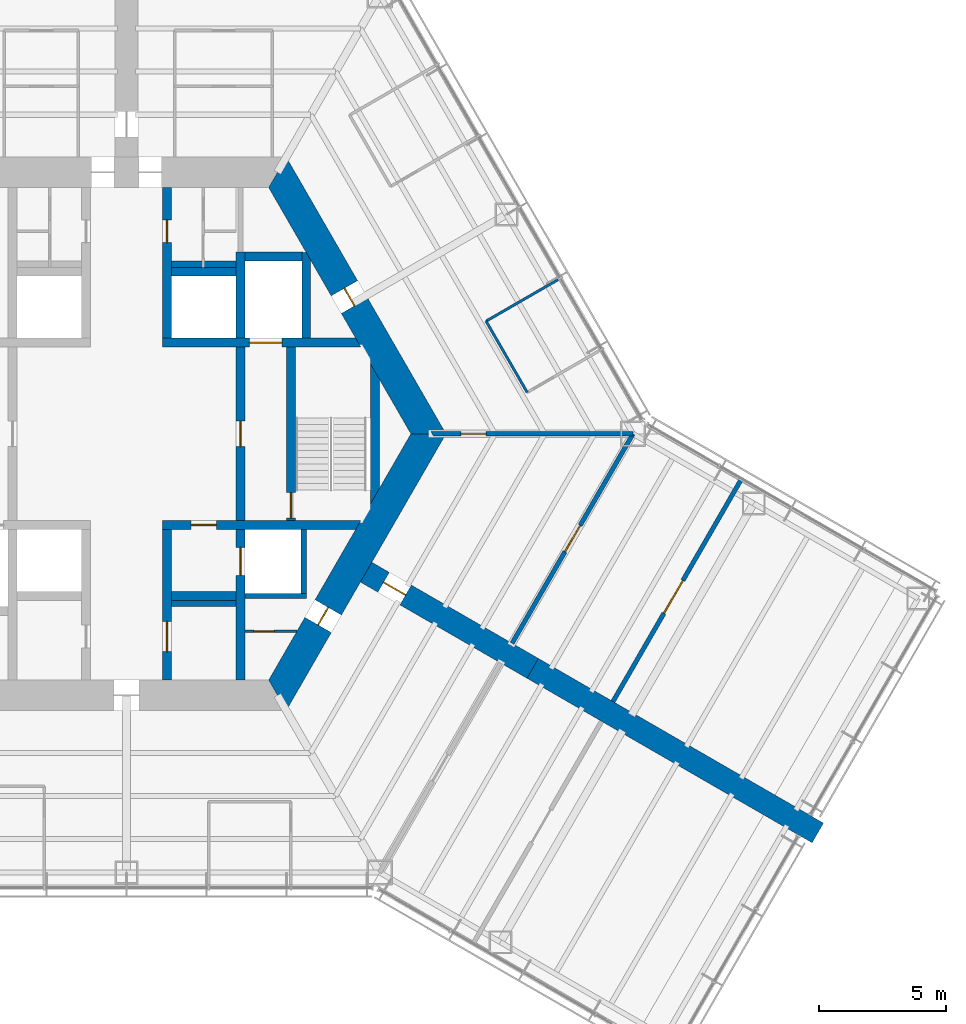
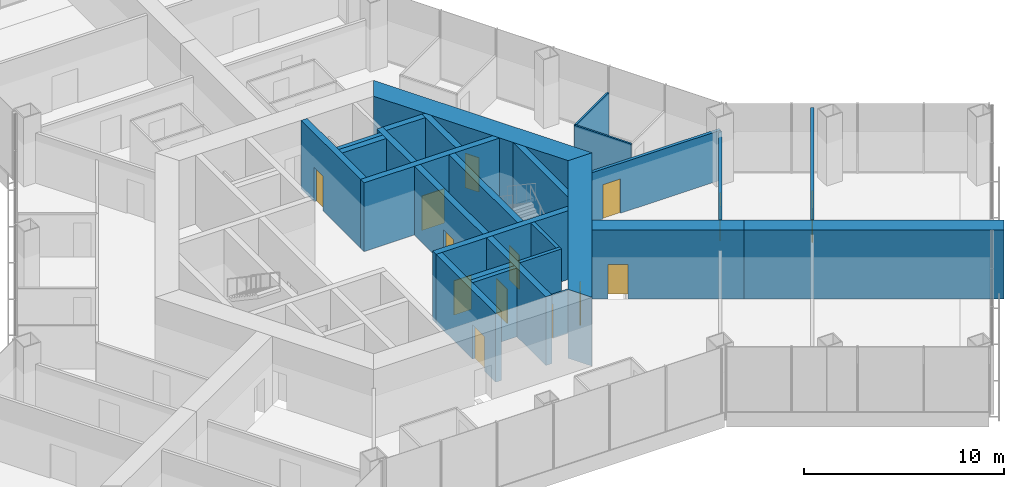
# One storey, part 12 of 17: 27 walls, 14 doors, 14 openings.
"""IFC4 building model written with IfcOpenShell, lengths in metres."""

from ifc_helpers import new_model, si_unit, direction, frame, frame_2d, origin, place, context, subcontext, project, spatial, polyline, rectangle, outline, extrude, material, layer, layer_set, type_object, element, fill, save


model = new_model("IFC4")

# Units and contexts
model_context = context("Model", 3, precision=1e-05, world=origin(), true_north=direction((0.0, 1.0)))
body_context = subcontext(model_context, "Body", "Model", "MODEL_VIEW")
ifc_project = project(units=[si_unit("LENGTHUNIT", "METRE"), si_unit("AREAUNIT", "SQUARE_METRE"), si_unit("VOLUMEUNIT", "CUBIC_METRE"), si_unit("PLANEANGLEUNIT", "RADIAN"), si_unit("MASSUNIT", "GRAM", prefix="KILO")], contexts=[model_context])

# Site, building, storey
site_placement = place(None, origin())
site = spatial("IfcSite", under=ifc_project, at=site_placement, CompositionType="ELEMENT")
building_placement = place(site_placement, origin())
building = spatial("IfcBuilding", under=site, at=building_placement, Name="Kasaneha Research Tower", CompositionType="ELEMENT")
storey_placement = place(building_placement, frame((0.0, 0.0, 47.800048828125)))
storey = spatial("IfcBuildingStorey", under=building, at=storey_placement, Name="L12", CompositionType="ELEMENT", Elevation=47.800048828125)

# Wall, opening, door
ifc_material_1 = material(Name="Concrete Fc100", Category="concrete")
ifc_layer_1 = layer(ifc_material_1, 0.35009765625)
ifc_layer_set_1 = layer_set([ifc_layer_1], Name="Core internal wall 350 Fc100")
wall_type_1 = type_object("IfcWallType", Name="Core internal wall 350 Fc100", PredefinedType="SHEAR", material=ifc_layer_set_1)
wall_1_placement = place(storey_placement, frame((1.425048828125, 3.60009765625, 0.0), z_axis=(0.0, 0.0, 1.0), x_axis=(1.0, 0.0, 0.0)))
wall_1 = element("IfcWall", 1, at=wall_1_placement, inside=storey, type_object=wall_type_1, Name="Core wall W1E L12", PredefinedType="SHEAR", context=body_context, shape_type="SweptSolid", body=[
    extrude(outline(polyline([(0.0, -0.175048828125), (3.425048828125, -0.175048828125), (4.72509765625, -0.175048828125), (7.8271484375, -0.175048828125), (7.625, 0.175048828125), (4.72509765625, 0.175048828125), (3.425048828125, 0.175048828125), (0.0, 0.175048828125), (0.0, -0.175048828125)])), origin(), (0.0, 0.0, 1.0), 4.199951171875),
])
opening_1_placement = place(wall_1_placement, frame((3.425048828125, 0.0, 0.0)))
opening_1 = element("IfcOpeningElement", 2, at=opening_1_placement, cuts=wall_1, Name="Opening LD-FL1-L12", PredefinedType="OPENING", context=body_context, shape_type="SweptSolid", body=[
    extrude(rectangle(XDim=1.300048828125, YDim=2.10009765625, at=frame_2d((0.64990234375, 1.050048828125))), frame((0.0, 0.18505859375, 0.0), z_axis=(0.0, -1.0, 0.0), x_axis=(1.0, 0.0, 0.0)), (0.0, 0.0, 1.0), 0.3701171875),
])
ifc_material_2 = material(Name="Steel", Category="steel")
door_type_1 = type_object("IfcDoorType", Name="Lift landing door 1300x2100", OperationType="DOUBLE_DOOR_SLIDING", PredefinedType="DOOR", material=ifc_material_2)
door_1_placement = place(opening_1_placement, origin())
door_1 = element("IfcDoor", 3, at=door_1_placement, inside=storey, type_object=door_type_1, Name="Landing door FL1 LD-FL1-L12", OperationType="DOUBLE_DOOR_SLIDING", OverallHeight=2.10009765625, OverallWidth=1.300048828125, PredefinedType="DOOR", context=body_context, shape_type="SweptSolid", body=[
    extrude(rectangle(XDim=1.300048828125, YDim=2.10009765625, at=frame_2d((0.64990234375, 1.050048828125))), frame((0.0, 0.02490234375, 0.0), z_axis=(0.0, -1.0, 0.0), x_axis=(1.0, 0.0, 0.0)), (0.0, 0.0, 1.0), 0.050048828125),
])
fill(opening_1, door_1)

wall_2_placement = place(storey_placement, frame((1.425048828125, -3.60009765625, 0.0), z_axis=(0.0, 0.0, 1.0), x_axis=(1.0, 0.0, 0.0)))
wall_2 = element("IfcWall", 4, at=wall_2_placement, inside=storey, type_object=wall_type_1, Name="Core wall W2E L12", PredefinedType="SHEAR", context=body_context, shape_type="SweptSolid", body=[
    extrude(outline(polyline([(0.0, -0.175048828125), (1.125, -0.175048828125), (2.125, -0.175048828125), (7.625, -0.175048828125), (7.8271484375, 0.175048828125), (2.125, 0.175048828125), (1.125, 0.175048828125), (0.0, 0.175048828125), (0.0, -0.175048828125)])), origin(), (0.0, 0.0, 1.0), 4.199951171875),
])
opening_2_placement = place(wall_2_placement, frame((1.125, 0.0, 0.0)))
opening_2 = element("IfcOpeningElement", 5, at=opening_2_placement, cuts=wall_2, Name="Opening L12-LV", PredefinedType="OPENING", context=body_context, shape_type="SweptSolid", body=[
    extrude(rectangle(XDim=1.0, YDim=2.10009765625, at=frame_2d((0.5, 1.050048828125))), frame((0.0, 0.18505859375, 0.0), z_axis=(0.0, -1.0, 0.0), x_axis=(1.0, 0.0, 0.0)), (0.0, 0.0, 1.0), 0.3701171875),
])
ifc_material_3 = material(Name="Steel", Category="steel")
door_type_2 = type_object("IfcDoorType", Name="Specified fire door FD60 1000x2100", OperationType="NOTDEFINED", PredefinedType="DOOR", material=ifc_material_3)
door_2_placement = place(opening_2_placement, origin())
door_2 = element("IfcDoor", 6, at=door_2_placement, inside=storey, type_object=door_type_2, Name="Podium vestibule door L12-LV", OperationType="SINGLE_SWING_LEFT", OverallHeight=2.10009765625, OverallWidth=1.0, PredefinedType="DOOR", context=body_context, shape_type="SweptSolid", body=[
    extrude(rectangle(XDim=1.0, YDim=2.10009765625, at=frame_2d((0.5, 1.050048828125))), frame((0.0, 0.02490234375, 0.0), z_axis=(0.0, -1.0, 0.0), x_axis=(1.0, 0.0, 0.0)), (0.0, 0.0, 1.0), 0.050048828125),
])
fill(opening_2, door_2)

wall_3_placement = place(storey_placement, frame((1.60009765625, 3.77490234375, 0.0), z_axis=(0.0, 0.0, 1.0), x_axis=(0.0, 1.0, 0.0)))
wall_3 = element("IfcWall", 7, at=wall_3_placement, inside=storey, type_object=wall_type_1, Name="Core wall CNE L12", PredefinedType="SHEAR", context=body_context, shape_type="SweptSolid", body=[
    extrude(rectangle(XDim=5.9501953125, YDim=0.35009765625, at=frame_2d((2.97509765625, 0.0))), origin(), (0.0, 0.0, 1.0), 4.199951171875),
])
opening_3_placement = place(wall_3_placement, frame((3.77490234375, 0.0, 0.0)))
opening_3 = element("IfcOpeningElement", 8, at=opening_3_placement, cuts=wall_3, Name="Opening L12-D14", PredefinedType="OPENING", context=body_context, shape_type="SweptSolid", body=[
    extrude(rectangle(XDim=0.89990234375, YDim=2.10009765625, at=frame_2d((0.449951171875, 1.050048828125))), frame((0.0, 0.18505859375, 0.0), z_axis=(0.0, -1.0, 0.0), x_axis=(1.0, 0.0, 0.0)), (0.0, 0.0, 1.0), 0.3701171875),
])
ifc_material_4 = material(Name="Steel", Category="steel")
door_type_3 = type_object("IfcDoorType", Name="Toilet door FD20 900x2100", OperationType="NOTDEFINED", PredefinedType="DOOR", material=ifc_material_4)
door_3_placement = place(opening_3_placement, origin())
door_3 = element("IfcDoor", 9, at=door_3_placement, inside=storey, type_object=door_type_3, Name="Women's WC door L12-D14", OperationType="SINGLE_SWING_LEFT", OverallHeight=2.10009765625, OverallWidth=0.89990234375, PredefinedType="DOOR", context=body_context, shape_type="SweptSolid", body=[
    extrude(rectangle(XDim=0.89990234375, YDim=2.10009765625, at=frame_2d((0.449951171875, 1.050048828125))), frame((0.0, 0.02490234375, 0.0), z_axis=(0.0, -1.0, 0.0), x_axis=(1.0, 0.0, 0.0)), (0.0, 0.0, 1.0), 0.050048828125),
])
fill(opening_3, door_3)

wall_4_placement = place(storey_placement, frame((1.60009765625, -3.77490234375, 0.0), z_axis=(0.0, 0.0, 1.0), x_axis=(0.0, -1.0, 0.0)))
wall_4 = element("IfcWall", 10, at=wall_4_placement, inside=storey, type_object=wall_type_1, Name="Core wall CSE L12", PredefinedType="SHEAR", context=body_context, shape_type="SweptSolid", body=[
    extrude(rectangle(XDim=5.9501953125, YDim=0.35009765625, at=frame_2d((2.97509765625, 0.0))), origin(), (0.0, 0.0, 1.0), 4.199951171875),
])
opening_4_placement = place(wall_4_placement, frame((3.625, 0.0, 0.0)))
opening_4 = element("IfcOpeningElement", 11, at=opening_4_placement, cuts=wall_4, Name="Opening L12-D15", PredefinedType="OPENING", context=body_context, shape_type="SweptSolid", body=[
    extrude(rectangle(XDim=1.199951171875, YDim=2.10009765625, at=frame_2d((0.60009765625, 1.050048828125))), frame((0.0, 0.18505859375, 0.0), z_axis=(0.0, -1.0, 0.0), x_axis=(1.0, 0.0, 0.0)), (0.0, 0.0, 1.0), 0.3701171875),
])
ifc_material_5 = material(Name="Steel", Category="steel")
door_type_4 = type_object("IfcDoorType", Name="Accessible toilet sliding door FD20 1200x2100", OperationType="SLIDING_TO_LEFT", PredefinedType="DOOR", material=ifc_material_5)
door_4_placement = place(opening_4_placement, origin())
door_4 = element("IfcDoor", 12, at=door_4_placement, inside=storey, type_object=door_type_4, Name="Accessible WC door L12-D15", OperationType="SLIDING_TO_LEFT", OverallHeight=2.10009765625, OverallWidth=1.199951171875, PredefinedType="DOOR", context=body_context, shape_type="SweptSolid", body=[
    extrude(rectangle(XDim=1.199951171875, YDim=2.10009765625, at=frame_2d((0.60009765625, 1.050048828125))), frame((0.0, 0.02490234375, 0.0), z_axis=(0.0, -1.0, 0.0), x_axis=(1.0, 0.0, 0.0)), (0.0, 0.0, 1.0), 0.050048828125),
])
fill(opening_4, door_4)

wall_5_placement = place(storey_placement, frame((4.5, -3.425048828125, 0.0), z_axis=(0.0, 0.0, 1.0), x_axis=(0.0, 1.0, 0.0)))
wall_5 = element("IfcWall", 13, at=wall_5_placement, inside=storey, type_object=wall_type_1, Name="Core wall LBE L12", PredefinedType="SHEAR", context=body_context, shape_type="SweptSolid", body=[
    extrude(rectangle(XDim=6.85009765625, YDim=0.35009765625, at=frame_2d((3.425048828125, 0.0))), origin(), (0.0, 0.0, 1.0), 4.199951171875),
])
opening_5_placement = place(wall_5_placement, frame((2.925048828125, 0.0, 0.0)))
opening_5 = element("IfcOpeningElement", 14, at=opening_5_placement, cuts=wall_5, Name="Opening L12-D08", PredefinedType="OPENING", context=body_context, shape_type="SweptSolid", body=[
    extrude(rectangle(XDim=1.0, YDim=2.10009765625, at=frame_2d((0.5, 1.050048828125))), frame((0.0, 0.18505859375, 0.0), z_axis=(0.0, -1.0, 0.0), x_axis=(1.0, 0.0, 0.0)), (0.0, 0.0, 1.0), 0.3701171875),
])
door_5_placement = place(opening_5_placement, origin())
door_5 = element("IfcDoor", 15, at=door_5_placement, inside=storey, type_object=door_type_2, Name="Lift lobby door east L12-D08", OperationType="SINGLE_SWING_LEFT", OverallHeight=2.10009765625, OverallWidth=1.0, PredefinedType="DOOR", context=body_context, shape_type="SweptSolid", body=[
    extrude(rectangle(XDim=1.0, YDim=2.10009765625, at=frame_2d((0.5, 1.050048828125))), frame((0.0, 0.02490234375, 0.0), z_axis=(0.0, -1.0, 0.0), x_axis=(1.0, 0.0, 0.0)), (0.0, 0.0, 1.0), 0.050048828125),
])
fill(opening_5, door_5)

wall_6_placement = place(storey_placement, frame((6.5, -3.425048828125, 0.0), z_axis=(0.0, 0.0, 1.0), x_axis=(0.0, 1.0, 0.0)))
wall_6 = element("IfcWall", 16, at=wall_6_placement, inside=storey, type_object=wall_type_1, Name="Core wall ANE L12", PredefinedType="SHEAR", context=body_context, shape_type="SweptSolid", body=[
    extrude(rectangle(XDim=6.85009765625, YDim=0.35009765625, at=frame_2d((3.425048828125, 0.0))), origin(), (0.0, 0.0, 1.0), 4.199951171875),
])
opening_6_placement = place(wall_6_placement, frame((0.10009765625, 0.0, 0.0)))
opening_6 = element("IfcOpeningElement", 17, at=opening_6_placement, cuts=wall_6, Name="Opening L12-D10", PredefinedType="OPENING", context=body_context, shape_type="SweptSolid", body=[
    extrude(rectangle(XDim=1.0, YDim=2.10009765625, at=frame_2d((0.5, 1.050048828125))), frame((0.0, 0.18505859375, 0.0), z_axis=(0.0, -1.0, 0.0), x_axis=(1.0, 0.0, 0.0)), (0.0, 0.0, 1.0), 0.3701171875),
])
door_6_placement = place(opening_6_placement, origin())
door_6 = element("IfcDoor", 18, at=door_6_placement, inside=storey, type_object=door_type_2, Name="Stair 1 door L12-D10", OperationType="SINGLE_SWING_LEFT", OverallHeight=2.10009765625, OverallWidth=1.0, PredefinedType="DOOR", context=body_context, shape_type="SweptSolid", body=[
    extrude(rectangle(XDim=1.0, YDim=2.10009765625, at=frame_2d((0.5, 1.050048828125))), frame((0.0, 0.02490234375, 0.0), z_axis=(0.0, -1.0, 0.0), x_axis=(1.0, 0.0, 0.0)), (0.0, 0.0, 1.0), 0.050048828125),
])
fill(opening_6, door_6)

# Wall
wall_7_placement = place(storey_placement, frame((4.5, 3.77490234375, 0.0), z_axis=(0.0, 0.0, 1.0), x_axis=(0.0, 1.0, 0.0)))
element("IfcWall", 19, at=wall_7_placement, inside=storey, type_object=wall_type_1, Name="Core wall FNE L12", PredefinedType="SHEAR", context=body_context, shape_type="SweptSolid", body=[
    extrude(rectangle(XDim=3.400146484375, YDim=0.35009765625, at=frame_2d((1.7001953125, 0.0))), origin(), (0.0, 0.0, 1.0), 4.199951171875),
])

# Wall, opening, door
wall_8_placement = place(storey_placement, frame((4.5, -3.77490234375, 0.0), z_axis=(0.0, 0.0, 1.0), x_axis=(0.0, -1.0, 0.0)))
wall_8 = element("IfcWall", 20, at=wall_8_placement, inside=storey, type_object=wall_type_1, Name="Core wall SSE L12", PredefinedType="SHEAR", context=body_context, shape_type="SweptSolid", body=[
    extrude(rectangle(XDim=5.9501953125, YDim=0.35009765625, at=frame_2d((2.97509765625, 0.0))), origin(), (0.0, 0.0, 1.0), 4.199951171875),
])
opening_7_placement = place(wall_8_placement, frame((0.71240234375, 0.0, 0.0)))
opening_7 = element("IfcOpeningElement", 21, at=opening_7_placement, cuts=wall_8, Name="Opening LD-PL1-L12", PredefinedType="OPENING", context=body_context, shape_type="SweptSolid", body=[
    extrude(rectangle(XDim=1.10009765625, YDim=2.10009765625, at=frame_2d((0.550048828125, 1.050048828125))), frame((0.0, 0.18505859375, 0.0), z_axis=(0.0, -1.0, 0.0), x_axis=(1.0, 0.0, 0.0)), (0.0, 0.0, 1.0), 0.3701171875),
])
ifc_material_6 = material(Name="Steel", Category="steel")
door_type_5 = type_object("IfcDoorType", Name="Lift landing door 1100x2100", OperationType="DOUBLE_DOOR_SLIDING", PredefinedType="DOOR", material=ifc_material_6)
door_7_placement = place(opening_7_placement, origin())
door_7 = element("IfcDoor", 22, at=door_7_placement, inside=storey, type_object=door_type_5, Name="Landing door PL1 LD-PL1-L12", OperationType="DOUBLE_DOOR_SLIDING", OverallHeight=2.10009765625, OverallWidth=1.10009765625, PredefinedType="DOOR", context=body_context, shape_type="SweptSolid", body=[
    extrude(rectangle(XDim=1.10009765625, YDim=2.10009765625, at=frame_2d((0.550048828125, 1.050048828125))), frame((0.0, 0.02490234375, 0.0), z_axis=(0.0, -1.0, 0.0), x_axis=(1.0, 0.0, 0.0)), (0.0, 0.0, 1.0), 0.050048828125),
])
fill(opening_7, door_7)

# Walls
for number, where, z_axis, x_axis, name in (
    (23, (1.77490234375, 6.39990234375, 0.0), (0.0, 0.0, 1.0), (1.0, 0.0, 0.0), "Core wall N3N L12"),
    (24, (1.77490234375, -6.39990234375, 0.0), (0.0, 0.0, 1.0), (1.0, 0.0, 0.0), "Core wall S3S L12"),
):
    element("IfcWall", number, at=place(storey_placement, frame(where, z_axis=z_axis, x_axis=x_axis)), inside=storey, type_object=wall_type_1, Name=name, PredefinedType="SHEAR", context=body_context, shape_type="SweptSolid", body=[
        extrude(rectangle(XDim=2.550048828125, YDim=0.35009765625, at=frame_2d((1.27490234375, 0.0))), origin(), (0.0, 0.0, 1.0), 4.199951171875),
    ])
wall_9_placement = place(storey_placement, frame((4.675048828125, 7.0, 0.0), z_axis=(0.0, 0.0, 1.0), x_axis=(1.0, 0.0, 0.0)))
element("IfcWall", 25, at=wall_9_placement, inside=storey, type_object=wall_type_1, Name="Core wall F1N L12", PredefinedType="SHEAR", context=body_context, shape_type="SweptSolid", body=[
    extrude(rectangle(XDim=2.25, YDim=0.35009765625, at=frame_2d((1.125, 0.0))), origin(), (0.0, 0.0, 1.0), 4.199951171875),
])
wall_10_placement = place(storey_placement, frame((7.10009765625, 3.77490234375, 0.0), z_axis=(0.0, 0.0, 1.0), x_axis=(0.0, 1.0, 0.0)))
element("IfcWall", 26, at=wall_10_placement, inside=storey, type_object=wall_type_1, Name="Core wall F1E L12", PredefinedType="SHEAR", context=body_context, shape_type="SweptSolid", body=[
    extrude(outline(polyline([(0.0, -0.175048828125), (3.07421875, -0.175048828125), (3.37744140625, 0.0), (3.39990234375, 0.175048828125), (0.0, 0.175048828125), (0.0, -0.175048828125)])), origin(), (0.0, 0.0, 1.0), 4.199951171875),
])
wall_11_placement = place(storey_placement, frame((9.807861328125, -2.462158203125, 0.0), z_axis=(0.0, 0.0, 1.0), x_axis=(0.0, 1.0, 0.0)))
element("IfcWall", 27, at=wall_11_placement, inside=storey, type_object=wall_type_1, Name="Core wall STE L12", PredefinedType="SHEAR", context=body_context, shape_type="SweptSolid", body=[
    extrude(outline(polyline([(0.30322265625, -0.175048828125), (4.62109375, -0.175048828125), (5.2275390625, 0.175048828125), (-0.30322265625, 0.175048828125), (0.30322265625, -0.175048828125)])), origin(), (0.0, 0.0, 1.0), 4.199951171875),
])

# Wall, opening, door
ifc_material_7 = material(Name="Concrete Fc100", Category="concrete")
ifc_layer_2 = layer(ifc_material_7, 1.199951171875)
ifc_layer_set_2 = layer_set([ifc_layer_2], Name="Core wall 1200 Fc100")
wall_type_2 = type_object("IfcWallType", Name="Core wall 1200 Fc100", PredefinedType="SHEAR", material=ifc_layer_set_2)
wall_12_placement = place(storey_placement, frame((11.92236328125, 0.0, 0.0), z_axis=(0.0, 0.0, 1.0), x_axis=(-0.500004296715, 0.866022923061, 0.0)))
wall_12 = element("IfcWall", 28, at=wall_12_placement, inside=storey, type_object=wall_type_2, Name="Core wall 030 L12", PredefinedType="SHEAR", context=body_context, shape_type="SweptSolid", body=[
    extrude(outline(polyline([(-0.346435546875, -0.60009765625), (5.83544921875, -0.60009765625), (6.635498046875, -0.60009765625), (12.268798828125, -0.60009765625), (11.575927734375, 0.60009765625), (6.635498046875, 0.60009765625), (5.83544921875, 0.60009765625), (0.346435546875, 0.60009765625), (-0.346435546875, -0.60009765625)])), origin(), (0.0, 0.0, 1.0), 4.199951171875),
])
opening_8_placement = place(wall_12_placement, frame((5.83544921875, 0.0, 0.0)))
opening_8 = element("IfcOpeningElement", 29, at=opening_8_placement, cuts=wall_12, Name="Opening L12-D04", PredefinedType="OPENING", context=body_context, shape_type="SweptSolid", body=[
    extrude(rectangle(XDim=0.800048828125, YDim=2.10009765625, at=frame_2d((0.39990234375, 1.050048828125))), frame((0.0, 0.60986328125, 0.0), z_axis=(0.0, -1.0, 0.0), x_axis=(1.0, 0.0, 0.0)), (0.0, 0.0, 1.0), 1.219970703125),
])
ifc_material_8 = material(Name="Steel", Category="steel")
door_type_6 = type_object("IfcDoorType", Name="Riser access door FD60 800x2100", OperationType="NOTDEFINED", PredefinedType="DOOR", material=ifc_material_8)
door_8_placement = place(opening_8_placement, origin())
door_8 = element("IfcDoor", 30, at=door_8_placement, inside=storey, type_object=door_type_6, Name="Pipe riser door L12-D04", OperationType="SINGLE_SWING_RIGHT", OverallHeight=2.10009765625, OverallWidth=0.800048828125, PredefinedType="DOOR", context=body_context, shape_type="SweptSolid", body=[
    extrude(rectangle(XDim=0.800048828125, YDim=2.10009765625, at=frame_2d((0.39990234375, 1.050048828125))), frame((0.0, 0.02490234375, 0.0), z_axis=(0.0, -1.0, 0.0), x_axis=(1.0, 0.0, 0.0)), (0.0, 0.0, 1.0), 0.050048828125),
])
fill(opening_8, door_8)

wall_13_placement = place(storey_placement, frame((5.961181640625, -10.324951171875, 0.0), z_axis=(0.0, 0.0, 1.0), x_axis=(0.500004296715, 0.866022923061, 0.0)))
wall_13 = element("IfcWall", 31, at=wall_13_placement, inside=storey, type_object=wall_type_2, Name="Core wall 330 L12", PredefinedType="SHEAR", context=body_context, shape_type="SweptSolid", body=[
    extrude(outline(polyline([(-0.346435546875, -0.60009765625), (3.20849609375, -0.60009765625), (4.008544921875, -0.60009765625), (12.268798828125, -0.60009765625), (11.575927734375, 0.60009765625), (4.008544921875, 0.60009765625), (3.20849609375, 0.60009765625), (0.346435546875, 0.60009765625), (-0.346435546875, -0.60009765625)])), origin(), (0.0, 0.0, 1.0), 4.199951171875),
])
opening_9_placement = place(wall_13_placement, frame((3.20849609375, 0.0, 0.0)))
opening_9 = element("IfcOpeningElement", 32, at=opening_9_placement, cuts=wall_13, Name="Opening L12-D05", PredefinedType="OPENING", context=body_context, shape_type="SweptSolid", body=[
    extrude(rectangle(XDim=0.800048828125, YDim=2.10009765625, at=frame_2d((0.39990234375, 1.050048828125))), frame((0.0, 0.60986328125, 0.0), z_axis=(0.0, -1.0, 0.0), x_axis=(1.0, 0.0, 0.0)), (0.0, 0.0, 1.0), 1.219970703125),
])
door_9_placement = place(opening_9_placement, origin())
door_9 = element("IfcDoor", 33, at=door_9_placement, inside=storey, type_object=door_type_6, Name="Pipe riser door L12-D05", OperationType="SINGLE_SWING_LEFT", OverallHeight=2.10009765625, OverallWidth=0.800048828125, PredefinedType="DOOR", context=body_context, shape_type="SweptSolid", body=[
    extrude(rectangle(XDim=0.800048828125, YDim=2.10009765625, at=frame_2d((0.39990234375, 1.050048828125))), frame((0.0, 0.02490234375, 0.0), z_axis=(0.0, -1.0, 0.0), x_axis=(1.0, 0.0, 0.0)), (0.0, 0.0, 1.0), 0.050048828125),
])
fill(opening_9, door_9)

ifc_material_9 = material(Name="Gypsum board on steel studs, two layers each side", Category="steel")
ifc_layer_3 = layer(ifc_material_9, 0.175048828125)
ifc_layer_set_3 = layer_set([ifc_layer_3], Name="Laboratory fire partition 175")
wall_type_3 = type_object("IfcWallType", Name="Laboratory fire partition 175", PredefinedType="PARTITIONING", material=ifc_layer_set_3)
wall_14_placement = place(storey_placement, frame((15.22509765625, -8.2705078125, 0.0), z_axis=(0.0, 0.0, 1.0), x_axis=(0.499993908199, 0.866028920859, 0.0)))
wall_14 = element("IfcWall", 34, at=wall_14_placement, inside=storey, type_object=wall_type_3, Name="Laboratory fire partition LABC-E L12", PredefinedType="PARTITIONING", context=body_context, shape_type="SweptSolid", body=[
    extrude(rectangle(XDim=9.5498046875, YDim=0.175048828125, at=frame_2d((4.77490234375, 0.0))), origin(), (0.0, 0.0, 1.0), 2.949951171875),
])
opening_10_placement = place(wall_14_placement, frame((4.175048828125, 0.0, 0.0)))
opening_10 = element("IfcOpeningElement", 35, at=opening_10_placement, cuts=wall_14, Name="Opening L12-D46", PredefinedType="OPENING", context=body_context, shape_type="SweptSolid", body=[
    extrude(rectangle(XDim=1.199951171875, YDim=2.10009765625, at=frame_2d((0.60009765625, 1.050048828125))), frame((0.0, 0.09765625, 0.0), z_axis=(0.0, -1.0, 0.0), x_axis=(1.0, 0.0, 0.0)), (0.0, 0.0, 1.0), 0.195068359375),
])
ifc_material_10 = material(Name="Steel", Category="steel")
door_type_7 = type_object("IfcDoorType", Name="Laboratory door FD60 1200x2100", OperationType="DOUBLE_DOOR_SINGLE_SWING", PredefinedType="DOOR", material=ifc_material_10)
door_10_placement = place(opening_10_placement, origin())
door_10 = element("IfcDoor", 36, at=door_10_placement, inside=storey, type_object=door_type_7, Name="Laboratory door L12-D46", OperationType="DOUBLE_DOOR_SINGLE_SWING", OverallHeight=2.10009765625, OverallWidth=1.199951171875, PredefinedType="DOOR", context=body_context, shape_type="SweptSolid", body=[
    extrude(rectangle(XDim=1.199951171875, YDim=2.10009765625, at=frame_2d((0.60009765625, 1.050048828125))), frame((0.0, 0.02490234375, 0.0), z_axis=(0.0, -1.0, 0.0), x_axis=(1.0, 0.0, 0.0)), (0.0, 0.0, 1.0), 0.050048828125),
])
fill(opening_10, door_10)

wall_15_placement = place(storey_placement, frame((19.208740234375, -10.570556640625, 0.0), z_axis=(0.0, 0.0, 1.0), x_axis=(0.500005203629, 0.866022399447, 0.0)))
wall_15 = element("IfcWall", 37, at=wall_15_placement, inside=storey, type_object=wall_type_3, Name="Laboratory fire partition INSC-E L12", PredefinedType="PARTITIONING", context=body_context, shape_type="SweptSolid", body=[
    extrude(rectangle(XDim=10.14013671875, YDim=0.175048828125, at=frame_2d((5.070068359375, 0.0))), origin(), (0.0, 0.0, 1.0), 3.949951171875),
])
opening_11_placement = place(wall_15_placement, frame((4.02490234375, 0.0, 0.0)))
opening_11 = element("IfcOpeningElement", 38, at=opening_11_placement, cuts=wall_15, Name="Opening L12-D47", PredefinedType="OPENING", context=body_context, shape_type="SweptSolid", body=[
    extrude(rectangle(XDim=1.5, YDim=2.10009765625, at=frame_2d((0.75, 1.050048828125))), frame((0.0, 0.09765625, 0.0), z_axis=(0.0, -1.0, 0.0), x_axis=(1.0, 0.0, 0.0)), (0.0, 0.0, 1.0), 0.195068359375),
])
ifc_material_11 = material(Name="Steel", Category="steel")
door_type_8 = type_object("IfcDoorType", Name="Laboratory door FD60 1500x2100", OperationType="DOUBLE_DOOR_SINGLE_SWING", PredefinedType="DOOR", material=ifc_material_11)
door_11_placement = place(opening_11_placement, origin())
door_11 = element("IfcDoor", 39, at=door_11_placement, inside=storey, type_object=door_type_8, Name="Instrument room door L12-D47", OperationType="DOUBLE_DOOR_SINGLE_SWING", OverallHeight=2.10009765625, OverallWidth=1.5, PredefinedType="DOOR", context=body_context, shape_type="SweptSolid", body=[
    extrude(rectangle(XDim=1.5, YDim=2.10009765625, at=frame_2d((0.75, 1.050048828125))), frame((0.0, 0.02490234375, 0.0), z_axis=(0.0, -1.0, 0.0), x_axis=(1.0, 0.0, 0.0)), (0.0, 0.0, 1.0), 0.050048828125),
])
fill(opening_11, door_11)

# Walls
ifc_material_12 = material(Name="Concrete block", Category="concrete")
ifc_layer_4 = layer(ifc_material_12, 0.199951171875)
ifc_layer_set_4 = layer_set([ifc_layer_4], Name="Lift shaft wall 200")
wall_type_4 = type_object("IfcWallType", Name="Lift shaft wall 200", PredefinedType="STANDARD", material=ifc_layer_set_4)
wall_16_placement = place(storey_placement, frame((4.675048828125, -6.39990234375, 0.0), z_axis=(0.0, 0.0, 1.0), x_axis=(1.0, 0.0, 0.0)))
element("IfcWall", 40, at=wall_16_placement, inside=storey, type_object=wall_type_4, Name="Lift shaft wall P1S L12", PredefinedType="STANDARD", context=body_context, shape_type="SweptSolid", body=[
    extrude(rectangle(XDim=2.425048828125, YDim=0.199951171875, at=frame_2d((1.21240234375, 0.0))), origin(), (0.0, 0.0, 1.0), 4.199951171875),
])
wall_17_placement = place(storey_placement, frame((7.0, -3.77490234375, 0.0), z_axis=(0.0, 0.0, 1.0), x_axis=(0.0, -1.0, 0.0)))
element("IfcWall", 41, at=wall_17_placement, inside=storey, type_object=wall_type_4, Name="Lift shaft wall P1E L12", PredefinedType="STANDARD", context=body_context, shape_type="SweptSolid", body=[
    extrude(rectangle(XDim=2.525146484375, YDim=0.199951171875, at=frame_2d((1.2626953125, 0.0))), origin(), (0.0, 0.0, 1.0), 4.199951171875),
])

# Wall, opening, door
ifc_material_13 = material(Name="Gypsum board on steel studs, one layer each side", Category="steel")
ifc_layer_5 = layer(ifc_material_13, 0.10009765625)
ifc_layer_set_5 = layer_set([ifc_layer_5], Name="Office partition 100")
wall_type_5 = type_object("IfcWallType", Name="Office partition 100", PredefinedType="PARTITIONING", material=ifc_layer_set_5)
wall_18_placement = place(storey_placement, frame((4.675048828125, -7.800048828125, 0.0), z_axis=(0.0, 0.0, 1.0), x_axis=(1.0, 0.0, 0.0)))
wall_18 = element("IfcWall", 42, at=wall_18_placement, inside=storey, type_object=wall_type_5, Name="Office partition RS-SE L12", PredefinedType="PARTITIONING", context=body_context, shape_type="SweptSolid", body=[
    extrude(outline(polyline([(0.0, -0.050048828125), (0.35009765625, -0.050048828125), (1.150146484375, -0.050048828125), (2.022216796875, -0.050048828125), (2.051025390625, 0.0), (2.056884765625, 0.050048828125), (1.150146484375, 0.050048828125), (0.35009765625, 0.050048828125), (0.0, 0.050048828125), (0.0, -0.050048828125)])), origin(), (0.0, 0.0, 1.0), 2.64990234375),
])
opening_12_placement = place(wall_18_placement, frame((0.35009765625, 0.0, 0.0)))
opening_12 = element("IfcOpeningElement", 43, at=opening_12_placement, cuts=wall_18, Name="Opening L12-D24", PredefinedType="OPENING", context=body_context, shape_type="SweptSolid", body=[
    extrude(rectangle(XDim=0.800048828125, YDim=2.10009765625, at=frame_2d((0.39990234375, 1.050048828125))), frame((0.0, 0.06005859375, 0.0), z_axis=(0.0, -1.0, 0.0), x_axis=(1.0, 0.0, 0.0)), (0.0, 0.0, 1.0), 0.1201171875),
])
door_12_placement = place(opening_12_placement, origin())
door_12 = element("IfcDoor", 44, at=door_12_placement, inside=storey, type_object=door_type_6, Name="Drainage riser door L12-D24", OperationType="SINGLE_SWING_LEFT", OverallHeight=2.10009765625, OverallWidth=0.800048828125, PredefinedType="DOOR", context=body_context, shape_type="SweptSolid", body=[
    extrude(rectangle(XDim=0.800048828125, YDim=2.10009765625, at=frame_2d((0.39990234375, 1.050048828125))), frame((0.0, 0.02490234375, 0.0), z_axis=(0.0, -1.0, 0.0), x_axis=(1.0, 0.0, 0.0)), (0.0, 0.0, 1.0), 0.050048828125),
])
fill(opening_12, door_12)

# Walls
wall_19_placement = place(storey_placement, frame((14.1982421875, 4.44873046875, 0.0), z_axis=(0.0, 0.0, 1.0), x_axis=(0.866008333849, 0.50002956483, 0.0)))
element("IfcWall", 45, at=wall_19_placement, inside=storey, type_object=wall_type_5, Name="Office partition FAE04 L12", PredefinedType="PARTITIONING", context=body_context, shape_type="SweptSolid", body=[
    extrude(rectangle(XDim=3.280029296875, YDim=0.10009765625, at=frame_2d((1.64013671875, 0.0))), origin(), (0.0, 0.0, 1.0), 2.64990234375),
])
wall_20_placement = place(storey_placement, frame((15.821533203125, 1.63720703125, 0.0), z_axis=(0.0, 0.0, 1.0), x_axis=(-0.500013214685, 0.866017774148, 0.0)))
element("IfcWall", 46, at=wall_20_placement, inside=storey, type_object=wall_type_5, Name="Office partition FAE05 L12", PredefinedType="PARTITIONING", context=body_context, shape_type="SweptSolid", body=[
    extrude(rectangle(XDim=3.24658203125, YDim=0.10009765625, at=frame_2d((1.623291015625, 0.0))), origin(), (0.0, 0.0, 1.0), 2.64990234375),
])

# Wall, opening, door
ifc_material_14 = material(Name="Concrete Fc100", Category="concrete")
ifc_layer_6 = layer(ifc_material_14, 0.89990234375)
ifc_layer_set_6 = layer_set([ifc_layer_6], Name="Spine wall 900 Fc100")
wall_type_6 = type_object("IfcWallType", Name="Spine wall 900 Fc100", PredefinedType="SHEAR", material=ifc_layer_set_6)
wall_21_placement = place(storey_placement, frame((9.46142578125, -5.46240234375, 0.0), z_axis=(0.0, 0.0, 1.0), x_axis=(0.866019116917, -0.500010889016, 0.0)))
wall_21 = element("IfcWall", 47, at=wall_21_placement, inside=storey, type_object=wall_type_6, Name="Spine wall C L12", PredefinedType="SHEAR", context=body_context, shape_type="SweptSolid", body=[
    extrude(rectangle(XDim=7.595458984375, YDim=0.89990234375, at=frame_2d((3.7978515625, 0.0))), origin(), (0.0, 0.0, 1.0), 4.199951171875),
])
opening_13_placement = place(wall_21_placement, frame((0.800048828125, 0.0, 0.0)))
opening_13 = element("IfcOpeningElement", 48, at=opening_13_placement, cuts=wall_21, Name="Opening L12-D19", PredefinedType="OPENING", context=body_context, shape_type="SweptSolid", body=[
    extrude(rectangle(XDim=1.0, YDim=2.10009765625, at=frame_2d((0.5, 1.050048828125))), frame((0.0, 0.4599609375, 0.0), z_axis=(0.0, -1.0, 0.0), x_axis=(1.0, 0.0, 0.0)), (0.0, 0.0, 1.0), 0.919921875),
])
door_13_placement = place(opening_13_placement, origin())
door_13 = element("IfcDoor", 49, at=door_13_placement, inside=storey, type_object=door_type_2, Name="Spine doorway C L12-D19", OperationType="SINGLE_SWING_LEFT", OverallHeight=2.10009765625, OverallWidth=1.0, PredefinedType="DOOR", context=body_context, shape_type="SweptSolid", body=[
    extrude(rectangle(XDim=1.0, YDim=2.10009765625, at=frame_2d((0.5, 1.050048828125))), frame((0.0, 0.02490234375, 0.0), z_axis=(0.0, -1.0, 0.0), x_axis=(1.0, 0.0, 0.0)), (0.0, 0.0, 1.0), 0.050048828125),
])
fill(opening_13, door_13)

# Wall
wall_22_placement = place(storey_placement, frame((16.039306640625, -9.26025390625, 0.0), z_axis=(0.0, 0.0, 1.0), x_axis=(0.866024837091, -0.50000098154, 0.0)))
element("IfcWall", 50, at=wall_22_placement, inside=storey, type_object=wall_type_6, Name="Spine wall C wing L12", PredefinedType="SHEAR", context=body_context, shape_type="SweptSolid", body=[
    extrude(rectangle(XDim=13.0, YDim=0.89990234375, at=frame_2d((6.5, 0.0))), origin(), (0.0, 0.0, 1.0), 4.199951171875),
])

# Wall, opening, door
ifc_material_15 = material(Name="Gypsum board on steel studs, two layers each side", Category="steel")
ifc_layer_7 = layer(ifc_material_15, 0.175048828125)
ifc_layer_set_7 = layer_set([ifc_layer_7], Name="Tenancy fire partition 175")
wall_type_7 = type_object("IfcWallType", Name="Tenancy fire partition 175", PredefinedType="PARTITIONING", material=ifc_layer_set_7)
wall_23_placement = place(storey_placement, frame((12.070068359375, 0.0, 0.0), z_axis=(0.0, 0.0, 1.0), x_axis=(1.0, 0.0, 0.0)))
wall_23 = element("IfcWall", 51, at=wall_23_placement, inside=storey, type_object=wall_type_7, Name="Tenancy fire partition T000 L12", PredefinedType="PARTITIONING", context=body_context, shape_type="SweptSolid", body=[
    extrude(outline(polyline([(0.050537109375, -0.08740234375), (1.12939453125, -0.08740234375), (2.12939453125, -0.08740234375), (7.929931640625, -0.08740234375), (7.929931640625, 0.08740234375), (2.12939453125, 0.08740234375), (1.12939453125, 0.08740234375), (-0.050537109375, 0.08740234375), (0.050537109375, -0.08740234375)])), origin(), (0.0, 0.0, 1.0), 3.050048828125),
])
opening_14_placement = place(wall_23_placement, frame((1.12939453125, 0.0, 0.0)))
opening_14 = element("IfcOpeningElement", 52, at=opening_14_placement, cuts=wall_23, Name="Opening L12-D25", PredefinedType="OPENING", context=body_context, shape_type="SweptSolid", body=[
    extrude(rectangle(XDim=1.0, YDim=2.10009765625, at=frame_2d((0.5, 1.050048828125))), frame((0.0, 0.09765625, 0.0), z_axis=(0.0, -1.0, 0.0), x_axis=(1.0, 0.0, 0.0)), (0.0, 0.0, 1.0), 0.195068359375),
])
ifc_material_16 = material(Name="Steel", Category="steel")
door_type_9 = type_object("IfcDoorType", Name="Suite entrance door FD60 1000x2100", OperationType="NOTDEFINED", PredefinedType="DOOR", material=ifc_material_16)
door_14_placement = place(opening_14_placement, origin())
door_14 = element("IfcDoor", 53, at=door_14_placement, inside=storey, type_object=door_type_9, Name="Connecting door L12-D25", OperationType="SINGLE_SWING_LEFT", OverallHeight=2.10009765625, OverallWidth=1.0, PredefinedType="DOOR", context=body_context, shape_type="SweptSolid", body=[
    extrude(rectangle(XDim=1.0, YDim=2.10009765625, at=frame_2d((0.5, 1.050048828125))), frame((0.0, 0.02490234375, 0.0), z_axis=(0.0, -1.0, 0.0), x_axis=(1.0, 0.0, 0.0)), (0.0, 0.0, 1.0), 0.050048828125),
])
fill(opening_14, door_14)

# Walls
ifc_material_17 = material(Name="Concrete block lining", Category="concrete")
ifc_layer_8 = layer(ifc_material_17, 0.25)
ifc_layer_set_8 = layer_set([ifc_layer_8], Name="WC plumbing wall 250")
wall_type_8 = type_object("IfcWallType", Name="WC plumbing wall 250", PredefinedType="PLUMBINGWALL", material=ifc_layer_set_8)
for number, where, z_axis, x_axis, name in (
    (54, (1.77490234375, 6.699951171875, 0.0), (0.0, 0.0, 1.0), (1.0, 0.0, 0.0), "WC plumbing wall F L12"),
    (55, (1.77490234375, -6.699951171875, 0.0), (0.0, 0.0, 1.0), (1.0, 0.0, 0.0), "WC plumbing wall A L12"),
):
    element("IfcWall", number, at=place(storey_placement, frame(where, z_axis=z_axis, x_axis=x_axis)), inside=storey, type_object=wall_type_8, Name=name, PredefinedType="PLUMBINGWALL", context=body_context, shape_type="SweptSolid", body=[
        extrude(rectangle(XDim=2.550048828125, YDim=0.25, at=frame_2d((1.27490234375, 0.0))), origin(), (0.0, 0.0, 1.0), 4.199951171875),
    ])

save(model, "model.ifc")
